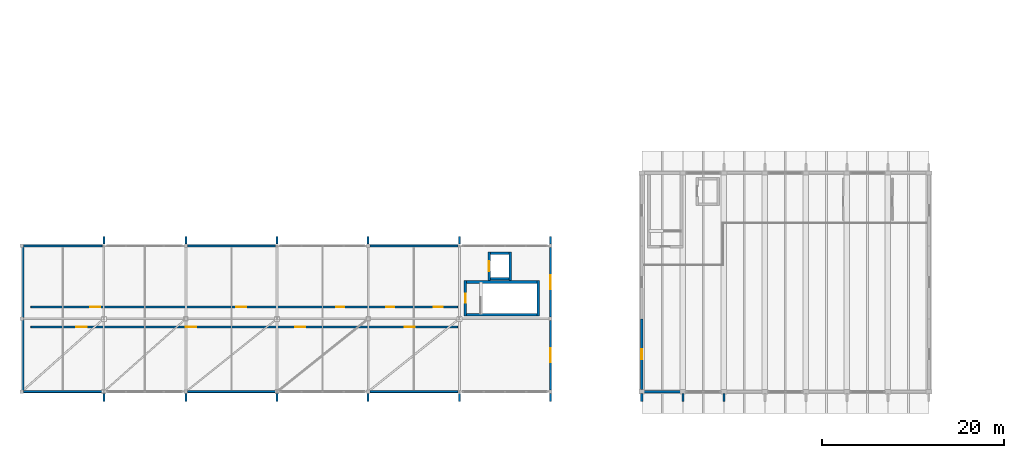
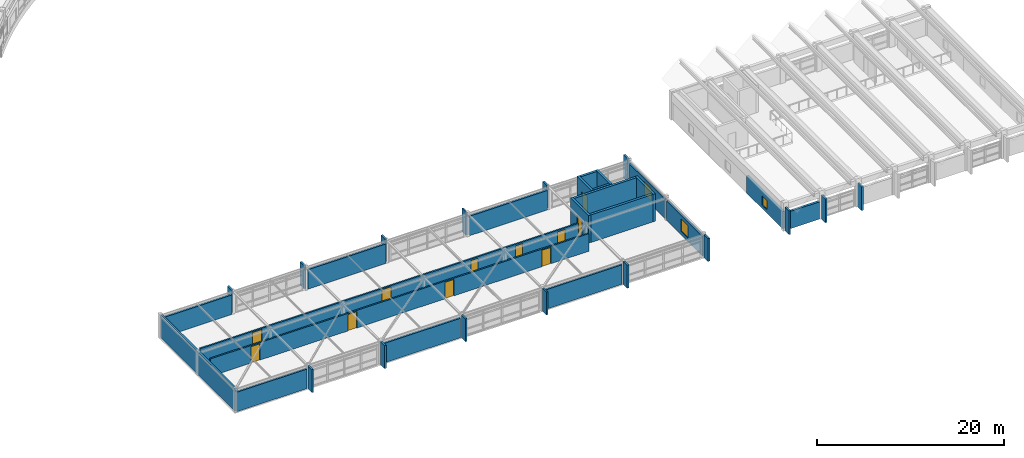
# One storey, part 54 of 83: 36 walls, 11 doors, 3 windows, 14 openings.
"""IFC4 building model written with IfcOpenShell, lengths in metres."""

from ifc_helpers import new_model, si_unit, direction, frame, frame_2d, origin, place, context, subcontext, project, spatial, rectangle, extrude, material, layer, layer_set, type_object, element, fill, save


model = new_model("IFC4")

# Units and contexts
model_context = context("Model", 3, precision=1e-05, world=origin(), true_north=direction((0.0, 1.0)))
body_context = subcontext(model_context, "Body", "Model", "MODEL_VIEW")
ifc_project = project(units=[si_unit("LENGTHUNIT", "METRE"), si_unit("AREAUNIT", "SQUARE_METRE"), si_unit("VOLUMEUNIT", "CUBIC_METRE"), si_unit("PLANEANGLEUNIT", "RADIAN"), si_unit("MASSUNIT", "GRAM", prefix="KILO")], contexts=[model_context])

# Site, building, storey
site_placement = place(None, origin())
site = spatial("IfcSite", under=ifc_project, at=site_placement, CompositionType="ELEMENT")
building_placement = place(site_placement, origin())
building = spatial("IfcBuilding", under=site, at=building_placement, Name="Zimvara Arc Housing Community", CompositionType="ELEMENT")
storey_placement = place(building_placement, frame((0.0, 0.0, 4.5)))
storey = spatial("IfcBuildingStorey", under=building, at=storey_placement, Name="L01", CompositionType="ELEMENT", Elevation=4.5)

# Wall
ifc_material_1 = material(Name="Board-Marked Fair-Faced Concrete C40/50", Category="concrete")
ifc_layer_1 = layer(ifc_material_1, 0.284912109375)
ifc_layer_set_1 = layer_set([ifc_layer_1], Name="Board-Marked Fair-Faced Concrete C40/50")
wall_type_1 = type_object("IfcWallType", Name="EWL-HALL-285", PredefinedType="SOLIDWALL", material=ifc_layer_set_1)
wall_1_placement = place(storey_placement, frame((68.25, 3.60009765625, 0.0), z_axis=(0.0, 0.0, 1.0), x_axis=(1.0, 0.0, 0.0)))
element("IfcWall", 1, at=wall_1_placement, inside=storey, type_object=wall_type_1, Name="ewall:hall:L01:south:b0", PredefinedType="SOLIDWALL", context=body_context, shape_type="SweptSolid", body=[
    extrude(rectangle(XDim=4.0, YDim=0.284912109375, at=frame_2d((2.0, 0.0))), origin(), (0.0, 0.0, 1.0), 2.25),
])

# Wall, opening, window
wall_2_placement = place(storey_placement, frame((68.0, 3.85009765625, 0.0), z_axis=(0.0, 0.0, 1.0), x_axis=(0.0, 1.0, 0.0)))
wall_2 = element("IfcWall", 2, at=wall_2_placement, inside=storey, type_object=wall_type_1, Name="ewall:hall:L01:west:b0", PredefinedType="SOLIDWALL", context=body_context, shape_type="SweptSolid", body=[
    extrude(rectangle(XDim=7.75, YDim=0.284912109375, at=frame_2d((3.875, 0.0))), origin(), (0.0, 0.0, 1.0), 2.25),
])
opening_1_placement = place(wall_2_placement, frame((3.324951171875, 0.0, 0.449951171875)))
opening_1 = element("IfcOpeningElement", 3, at=opening_1_placement, cuts=wall_2, Name="Opening W11", PredefinedType="OPENING", context=body_context, shape_type="SweptSolid", body=[
    extrude(rectangle(XDim=1.10009765625, YDim=1.199951171875, at=frame_2d((0.550048828125, 0.60009765625))), frame((0.0, 0.15234375, 0.0), z_axis=(0.0, -1.0, 0.0), x_axis=(1.0, 0.0, 0.0)), (0.0, 0.0, 1.0), 0.304931640625),
])
ifc_material_2 = material(Name="Solar Control Low-E Double Glazing", Category="glass")
window_type_1 = type_object("IfcWindowType", Name="WIN-RES-1100x1200", PartitioningType="SINGLE_PANEL", PredefinedType="WINDOW", material=ifc_material_2)
window_1_placement = place(opening_1_placement, origin())
window_1 = element("IfcWindow", 4, at=window_1_placement, inside=storey, type_object=window_type_1, Name="win:hall:L01:west:b0", OverallHeight=1.199951171875, OverallWidth=1.10009765625, PartitioningType="SINGLE_PANEL", PredefinedType="WINDOW", context=body_context, shape_type="SweptSolid", body=[
    extrude(rectangle(XDim=1.10009765625, YDim=1.199951171875, at=frame_2d((0.550048828125, 0.60009765625))), frame((0.0, 0.030029296875, 0.0), z_axis=(0.0, -1.0, 0.0), x_axis=(1.0, 0.0, 0.0)), (0.0, 0.0, 1.0), 0.06005859375),
])
fill(opening_1, window_1)

# Walls
ifc_material_3 = material(Name="Board-Marked Fair-Faced Concrete C35/45", Category="concrete")
ifc_layer_2 = layer(ifc_material_3, 0.219970703125)
ifc_layer_set_2 = layer_set([ifc_layer_2], Name="Board-Marked Fair-Faced Concrete C35/45")
wall_type_2 = type_object("IfcWallType", Name="EWL-PARA-220", PredefinedType="PARAPET", material=ifc_layer_set_2)
for number, where, z_axis, x_axis, name in (
    (5, (68.0, 2.550048828125, 0.0), (0.0, 0.0, 1.0), (0.0, 1.0, 0.0), "finwall:hall:L01:s:0"),
    (6, (72.5, 2.550048828125, 0.0), (0.0, 0.0, 1.0), (0.0, 1.0, 0.0), "finwall:hall:L01:s:1"),
    (7, (77.0, 2.550048828125, 0.0), (0.0, 0.0, 1.0), (0.0, 1.0, 0.0), "finwall:hall:L01:s:2"),
):
    element("IfcWall", number, at=place(storey_placement, frame(where, z_axis=z_axis, x_axis=x_axis)), inside=storey, type_object=wall_type_2, Name=name, PredefinedType="PARAPET", context=body_context, shape_type="SweptSolid", body=[
        extrude(rectangle(XDim=0.869873046875, YDim=0.219970703125, at=frame_2d((0.43505859375, 0.0))), origin(), (0.0, 0.0, 1.0), 3.10009765625),
    ])
for number, where, z_axis, x_axis, name in (
    (8, (9.0, 2.550048828125, 0.0), (0.0, 0.0, 1.0), (0.0, 1.0, 0.0), "finwall:shops:L01:s:1"),
    (9, (9.0, 19.780029296875, 0.0), (0.0, 0.0, 1.0), (0.0, 1.0, 0.0), "finwall:shops:L01:n:1"),
    (10, (18.0, 2.550048828125, 0.0), (0.0, 0.0, 1.0), (0.0, 1.0, 0.0), "finwall:shops:L01:s:2"),
    (11, (18.0, 19.780029296875, 0.0), (0.0, 0.0, 1.0), (0.0, 1.0, 0.0), "finwall:shops:L01:n:2"),
    (12, (28.0, 2.550048828125, 0.0), (0.0, 0.0, 1.0), (0.0, 1.0, 0.0), "finwall:shops:L01:s:3"),
    (13, (28.0, 19.780029296875, 0.0), (0.0, 0.0, 1.0), (0.0, 1.0, 0.0), "finwall:shops:L01:n:3"),
    (14, (38.0, 2.550048828125, 0.0), (0.0, 0.0, 1.0), (0.0, 1.0, 0.0), "finwall:shops:L01:s:4"),
    (15, (38.0, 19.780029296875, 0.0), (0.0, 0.0, 1.0), (0.0, 1.0, 0.0), "finwall:shops:L01:n:4"),
    (16, (48.0, 2.550048828125, 0.0), (0.0, 0.0, 1.0), (0.0, 1.0, 0.0), "finwall:shops:L01:s:5"),
    (17, (48.0, 19.780029296875, 0.0), (0.0, 0.0, 1.0), (0.0, 1.0, 0.0), "finwall:shops:L01:n:5"),
    (18, (58.0, 2.550048828125, 0.0), (0.0, 0.0, 1.0), (0.0, 1.0, 0.0), "finwall:shops:L01:s:6"),
    (19, (58.0, 19.780029296875, 0.0), (0.0, 0.0, 1.0), (0.0, 1.0, 0.0), "finwall:shops:L01:n:6"),
):
    element("IfcWall", number, at=place(storey_placement, frame(where, z_axis=z_axis, x_axis=x_axis)), inside=storey, type_object=wall_type_2, Name=name, PredefinedType="PARAPET", context=body_context, shape_type="SweptSolid", body=[
        extrude(rectangle(XDim=0.869873046875, YDim=0.219970703125, at=frame_2d((0.43505859375, 0.0))), origin(), (0.0, 0.0, 1.0), 3.0),
    ])
ifc_material_4 = material(Name="Board-Marked Fair-Faced Concrete C35/45", Category="concrete")
ifc_layer_3 = layer(ifc_material_4, 0.215087890625)
ifc_layer_set_3 = layer_set([ifc_layer_3], Name="Board-Marked Fair-Faced Concrete C35/45")
wall_type_3 = type_object("IfcWallType", Name="EWL-SHOP-215", PredefinedType="SOLIDWALL", material=ifc_layer_set_3)
wall_3_placement = place(storey_placement, frame((0.175048828125, 3.60009765625, 0.0), z_axis=(0.0, 0.0, 1.0), x_axis=(1.0, 0.0, 0.0)))
element("IfcWall", 20, at=wall_3_placement, inside=storey, type_object=wall_type_3, Name="ewall:shops:L01:south:b0", PredefinedType="SOLIDWALL", context=body_context, shape_type="SweptSolid", body=[
    extrude(rectangle(XDim=8.64990234375, YDim=0.215087890625, at=frame_2d((4.324951171875, 0.0))), origin(), (0.0, 0.0, 1.0), 2.550048828125),
])
for number, where, z_axis, x_axis, name in (
    (21, (18.175048828125, 3.60009765625, 0.0), (0.0, 0.0, 1.0), (1.0, 0.0, 0.0), "ewall:shops:L01:south:b2"),
    (22, (38.175048828125, 3.60009765625, 0.0), (0.0, 0.0, 1.0), (1.0, 0.0, 0.0), "ewall:shops:L01:south:b4"),
):
    element("IfcWall", number, at=place(storey_placement, frame(where, z_axis=z_axis, x_axis=x_axis)), inside=storey, type_object=wall_type_3, Name=name, PredefinedType="SOLIDWALL", context=body_context, shape_type="SweptSolid", body=[
        extrude(rectangle(XDim=9.64990234375, YDim=0.215087890625, at=frame_2d((4.824951171875, 0.0))), origin(), (0.0, 0.0, 1.0), 2.550048828125),
    ])
wall_4_placement = place(storey_placement, frame((0.175048828125, 19.60009765625, 0.0), z_axis=(0.0, 0.0, 1.0), x_axis=(1.0, 0.0, 0.0)))
element("IfcWall", 23, at=wall_4_placement, inside=storey, type_object=wall_type_3, Name="ewall:shops:L01:north:b0", PredefinedType="SOLIDWALL", context=body_context, shape_type="SweptSolid", body=[
    extrude(rectangle(XDim=8.64990234375, YDim=0.215087890625, at=frame_2d((4.324951171875, 0.0))), origin(), (0.0, 0.0, 1.0), 2.550048828125),
])
for number, where, z_axis, x_axis, name in (
    (24, (18.175048828125, 19.60009765625, 0.0), (0.0, 0.0, 1.0), (1.0, 0.0, 0.0), "ewall:shops:L01:north:b2"),
    (25, (38.175048828125, 19.60009765625, 0.0), (0.0, 0.0, 1.0), (1.0, 0.0, 0.0), "ewall:shops:L01:north:b4"),
):
    element("IfcWall", number, at=place(storey_placement, frame(where, z_axis=z_axis, x_axis=x_axis)), inside=storey, type_object=wall_type_3, Name=name, PredefinedType="SOLIDWALL", context=body_context, shape_type="SweptSolid", body=[
        extrude(rectangle(XDim=9.64990234375, YDim=0.215087890625, at=frame_2d((4.824951171875, 0.0))), origin(), (0.0, 0.0, 1.0), 2.550048828125),
    ])

# Wall, opening, window
wall_5_placement = place(storey_placement, frame((58.0, 3.77490234375, 0.0), z_axis=(0.0, 0.0, 1.0), x_axis=(0.0, 1.0, 0.0)))
wall_5 = element("IfcWall", 26, at=wall_5_placement, inside=storey, type_object=wall_type_3, Name="ewall:shops:L01:east:b0", PredefinedType="SOLIDWALL", context=body_context, shape_type="SweptSolid", body=[
    extrude(rectangle(XDim=7.650146484375, YDim=0.215087890625, at=frame_2d((3.8251953125, 0.0))), origin(), (0.0, 0.0, 1.0), 2.550048828125),
])
opening_2_placement = place(wall_5_placement, frame((3.074951171875, 0.0, 0.449951171875)))
opening_2 = element("IfcOpeningElement", 27, at=opening_2_placement, cuts=wall_5, Name="Opening W07", PredefinedType="OPENING", context=body_context, shape_type="SweptSolid", body=[
    extrude(rectangle(XDim=1.5, YDim=1.64990234375, at=frame_2d((0.75, 0.824951171875))), frame((0.0, 0.117431640625, 0.0), z_axis=(0.0, -1.0, 0.0), x_axis=(1.0, 0.0, 0.0)), (0.0, 0.0, 1.0), 0.235107421875),
])
ifc_material_5 = material(Name="Solar Control Low-E Double Glazing", Category="glass")
window_type_2 = type_object("IfcWindowType", Name="WIN-RES-1500x1650", PartitioningType="DOUBLE_PANEL_VERTICAL", PredefinedType="WINDOW", material=ifc_material_5)
window_2_placement = place(opening_2_placement, origin())
window_2 = element("IfcWindow", 28, at=window_2_placement, inside=storey, type_object=window_type_2, Name="win:shops:L01:east:b0", OverallHeight=1.64990234375, OverallWidth=1.5, PartitioningType="DOUBLE_PANEL_VERTICAL", PredefinedType="WINDOW", context=body_context, shape_type="SweptSolid", body=[
    extrude(rectangle(XDim=1.5, YDim=1.64990234375, at=frame_2d((0.75, 0.824951171875))), frame((0.0, 0.030029296875, 0.0), z_axis=(0.0, -1.0, 0.0), x_axis=(1.0, 0.0, 0.0)), (0.0, 0.0, 1.0), 0.06005859375),
])
fill(opening_2, window_2)

wall_6_placement = place(storey_placement, frame((58.0, 11.77490234375, 0.0), z_axis=(0.0, 0.0, 1.0), x_axis=(0.0, 1.0, 0.0)))
wall_6 = element("IfcWall", 29, at=wall_6_placement, inside=storey, type_object=wall_type_3, Name="ewall:shops:L01:east:b1", PredefinedType="SOLIDWALL", context=body_context, shape_type="SweptSolid", body=[
    extrude(rectangle(XDim=7.650146484375, YDim=0.215087890625, at=frame_2d((3.8251953125, 0.0))), origin(), (0.0, 0.0, 1.0), 2.550048828125),
])
opening_3_placement = place(wall_6_placement, frame((3.074951171875, 0.0, 0.449951171875)))
opening_3 = element("IfcOpeningElement", 30, at=opening_3_placement, cuts=wall_6, Name="Opening W07", PredefinedType="OPENING", context=body_context, shape_type="SweptSolid", body=[
    extrude(rectangle(XDim=1.5, YDim=1.64990234375, at=frame_2d((0.75, 0.824951171875))), frame((0.0, 0.117431640625, 0.0), z_axis=(0.0, -1.0, 0.0), x_axis=(1.0, 0.0, 0.0)), (0.0, 0.0, 1.0), 0.235107421875),
])
window_3_placement = place(opening_3_placement, origin())
window_3 = element("IfcWindow", 31, at=window_3_placement, inside=storey, type_object=window_type_2, Name="win:shops:L01:east:b1", OverallHeight=1.64990234375, OverallWidth=1.5, PartitioningType="DOUBLE_PANEL_VERTICAL", PredefinedType="WINDOW", context=body_context, shape_type="SweptSolid", body=[
    extrude(rectangle(XDim=1.5, YDim=1.64990234375, at=frame_2d((0.75, 0.824951171875))), frame((0.0, 0.030029296875, 0.0), z_axis=(0.0, -1.0, 0.0), x_axis=(1.0, 0.0, 0.0)), (0.0, 0.0, 1.0), 0.06005859375),
])
fill(opening_3, window_3)

# Wall, openings, doors
ifc_material_6 = material(Name="Concrete C35/45", Category="concrete")
ifc_layer_4 = layer(ifc_material_6, 0.18994140625)
ifc_layer_set_4 = layer_set([ifc_layer_4], Name="Concrete C35/45")
wall_type_4 = type_object("IfcWallType", Name="IWL-CORR-190", PredefinedType="SOLIDWALL", material=ifc_layer_set_4)
wall_7_placement = place(storey_placement, frame((1.0, 10.699951171875, 0.0), z_axis=(0.0, 0.0, 1.0), x_axis=(1.0, 0.0, 0.0)))
wall_7 = element("IfcWall", 32, at=wall_7_placement, inside=storey, type_object=wall_type_4, Name="iwall:civ:shop_l01_s", PredefinedType="SOLIDWALL", context=body_context, shape_type="SweptSolid", body=[
    extrude(rectangle(XDim=46.800048828125, YDim=0.18994140625, at=frame_2d((23.39990234375, 0.0))), origin(), (0.0, 0.0, 1.0), 2.300048828125),
])
opening_4_placement = place(wall_7_placement, frame((5.0, 0.0, 0.0)))
opening_4 = element("IfcOpeningElement", 33, at=opening_4_placement, cuts=wall_7, Name="Opening D07", PredefinedType="OPENING", context=body_context, shape_type="SweptSolid", body=[
    extrude(rectangle(XDim=1.1201171875, YDim=2.14990234375, at=frame_2d((0.56005859375, 1.074951171875))), frame((0.0, 0.10498046875, 0.0), z_axis=(0.0, -1.0, 0.0), x_axis=(1.0, 0.0, 0.0)), (0.0, 0.0, 1.0), 0.2099609375),
])
opening_5_placement = place(wall_7_placement, frame((17.0, 0.0, 0.0)))
opening_5 = element("IfcOpeningElement", 34, at=opening_5_placement, cuts=wall_7, Name="Opening D07", PredefinedType="OPENING", context=body_context, shape_type="SweptSolid", body=[
    extrude(rectangle(XDim=1.1201171875, YDim=2.14990234375, at=frame_2d((0.56005859375, 1.074951171875))), frame((0.0, 0.10498046875, 0.0), z_axis=(0.0, -1.0, 0.0), x_axis=(1.0, 0.0, 0.0)), (0.0, 0.0, 1.0), 0.2099609375),
])
opening_6_placement = place(wall_7_placement, frame((29.0, 0.0, 0.0)))
opening_6 = element("IfcOpeningElement", 35, at=opening_6_placement, cuts=wall_7, Name="Opening D07", PredefinedType="OPENING", context=body_context, shape_type="SweptSolid", body=[
    extrude(rectangle(XDim=1.1201171875, YDim=2.14990234375, at=frame_2d((0.56005859375, 1.074951171875))), frame((0.0, 0.10498046875, 0.0), z_axis=(0.0, -1.0, 0.0), x_axis=(1.0, 0.0, 0.0)), (0.0, 0.0, 1.0), 0.2099609375),
])
opening_7_placement = place(wall_7_placement, frame((41.0, 0.0, 0.0)))
opening_7 = element("IfcOpeningElement", 36, at=opening_7_placement, cuts=wall_7, Name="Opening D07", PredefinedType="OPENING", context=body_context, shape_type="SweptSolid", body=[
    extrude(rectangle(XDim=1.1201171875, YDim=2.14990234375, at=frame_2d((0.56005859375, 1.074951171875))), frame((0.0, 0.10498046875, 0.0), z_axis=(0.0, -1.0, 0.0), x_axis=(1.0, 0.0, 0.0)), (0.0, 0.0, 1.0), 0.2099609375),
])
ifc_material_7 = material(Name="Mozambican Hardwood", Category="wood")
door_type_1 = type_object("IfcDoorType", Name="IDR-AMN-1120x2150", OperationType="NOTDEFINED", PredefinedType="DOOR", material=ifc_material_7)
door_1_placement = place(opening_4_placement, origin())
door_1 = element("IfcDoor", 37, at=door_1_placement, inside=storey, type_object=door_type_1, Name="idoor:civ:wk1_d", OperationType="SINGLE_SWING_LEFT", OverallHeight=2.14990234375, OverallWidth=1.1201171875, PredefinedType="DOOR", context=body_context, shape_type="SweptSolid", body=[
    extrude(rectangle(XDim=1.1201171875, YDim=2.14990234375, at=frame_2d((0.56005859375, 1.074951171875))), frame((0.0, 0.02490234375, 0.0), z_axis=(0.0, -1.0, 0.0), x_axis=(1.0, 0.0, 0.0)), (0.0, 0.0, 1.0), 0.050048828125),
])
fill(opening_4, door_1)
door_2_placement = place(opening_5_placement, origin())
door_2 = element("IfcDoor", 38, at=door_2_placement, inside=storey, type_object=door_type_1, Name="idoor:civ:wk2_d", OperationType="SINGLE_SWING_RIGHT", OverallHeight=2.14990234375, OverallWidth=1.1201171875, PredefinedType="DOOR", context=body_context, shape_type="SweptSolid", body=[
    extrude(rectangle(XDim=1.1201171875, YDim=2.14990234375, at=frame_2d((0.56005859375, 1.074951171875))), frame((0.0, 0.02490234375, 0.0), z_axis=(0.0, -1.0, 0.0), x_axis=(1.0, 0.0, 0.0)), (0.0, 0.0, 1.0), 0.050048828125),
])
fill(opening_5, door_2)
door_3_placement = place(opening_6_placement, origin())
door_3 = element("IfcDoor", 39, at=door_3_placement, inside=storey, type_object=door_type_1, Name="idoor:civ:wk3_d", OperationType="SINGLE_SWING_LEFT", OverallHeight=2.14990234375, OverallWidth=1.1201171875, PredefinedType="DOOR", context=body_context, shape_type="SweptSolid", body=[
    extrude(rectangle(XDim=1.1201171875, YDim=2.14990234375, at=frame_2d((0.56005859375, 1.074951171875))), frame((0.0, 0.02490234375, 0.0), z_axis=(0.0, -1.0, 0.0), x_axis=(1.0, 0.0, 0.0)), (0.0, 0.0, 1.0), 0.050048828125),
])
fill(opening_6, door_3)
door_4_placement = place(opening_7_placement, origin())
door_4 = element("IfcDoor", 40, at=door_4_placement, inside=storey, type_object=door_type_1, Name="idoor:civ:wk4_d", OperationType="SINGLE_SWING_RIGHT", OverallHeight=2.14990234375, OverallWidth=1.1201171875, PredefinedType="DOOR", context=body_context, shape_type="SweptSolid", body=[
    extrude(rectangle(XDim=1.1201171875, YDim=2.14990234375, at=frame_2d((0.56005859375, 1.074951171875))), frame((0.0, 0.02490234375, 0.0), z_axis=(0.0, -1.0, 0.0), x_axis=(1.0, 0.0, 0.0)), (0.0, 0.0, 1.0), 0.050048828125),
])
fill(opening_7, door_4)

wall_8_placement = place(storey_placement, frame((1.0, 12.89990234375, 0.0), z_axis=(0.0, 0.0, 1.0), x_axis=(1.0, 0.0, 0.0)))
wall_8 = element("IfcWall", 41, at=wall_8_placement, inside=storey, type_object=wall_type_4, Name="iwall:civ:shop_l01_n", PredefinedType="SOLIDWALL", context=body_context, shape_type="SweptSolid", body=[
    extrude(rectangle(XDim=46.800048828125, YDim=0.18994140625, at=frame_2d((23.39990234375, 0.0))), origin(), (0.0, 0.0, 1.0), 2.300048828125),
])
opening_8_placement = place(wall_8_placement, frame((6.5, 0.0, 0.0)))
opening_8 = element("IfcOpeningElement", 42, at=opening_8_placement, cuts=wall_8, Name="Opening D07", PredefinedType="OPENING", context=body_context, shape_type="SweptSolid", body=[
    extrude(rectangle(XDim=1.1201171875, YDim=2.14990234375, at=frame_2d((0.56005859375, 1.074951171875))), frame((0.0, 0.10498046875, 0.0), z_axis=(0.0, -1.0, 0.0), x_axis=(1.0, 0.0, 0.0)), (0.0, 0.0, 1.0), 0.2099609375),
])
opening_9_placement = place(wall_8_placement, frame((22.5, 0.0, 0.0)))
opening_9 = element("IfcOpeningElement", 43, at=opening_9_placement, cuts=wall_8, Name="Opening D07", PredefinedType="OPENING", context=body_context, shape_type="SweptSolid", body=[
    extrude(rectangle(XDim=1.1201171875, YDim=2.14990234375, at=frame_2d((0.56005859375, 1.074951171875))), frame((0.0, 0.10498046875, 0.0), z_axis=(0.0, -1.0, 0.0), x_axis=(1.0, 0.0, 0.0)), (0.0, 0.0, 1.0), 0.2099609375),
])
opening_10_placement = place(wall_8_placement, frame((33.5, 0.0, 0.0)))
opening_10 = element("IfcOpeningElement", 44, at=opening_10_placement, cuts=wall_8, Name="Opening D05", PredefinedType="OPENING", context=body_context, shape_type="SweptSolid", body=[
    extrude(rectangle(XDim=0.8798828125, YDim=2.10009765625, at=frame_2d((0.43994140625, 1.050048828125))), frame((0.0, 0.10498046875, 0.0), z_axis=(0.0, -1.0, 0.0), x_axis=(1.0, 0.0, 0.0)), (0.0, 0.0, 1.0), 0.2099609375),
])
opening_11_placement = place(wall_8_placement, frame((39.0, 0.0, 0.0)))
opening_11 = element("IfcOpeningElement", 45, at=opening_11_placement, cuts=wall_8, Name="Opening D05", PredefinedType="OPENING", context=body_context, shape_type="SweptSolid", body=[
    extrude(rectangle(XDim=0.8798828125, YDim=2.10009765625, at=frame_2d((0.43994140625, 1.050048828125))), frame((0.0, 0.10498046875, 0.0), z_axis=(0.0, -1.0, 0.0), x_axis=(1.0, 0.0, 0.0)), (0.0, 0.0, 1.0), 0.2099609375),
])
opening_12_placement = place(wall_8_placement, frame((44.199951171875, 0.0, 0.0)))
opening_12 = element("IfcOpeningElement", 46, at=opening_12_placement, cuts=wall_8, Name="Opening D06", PredefinedType="OPENING", context=body_context, shape_type="SweptSolid", body=[
    extrude(rectangle(XDim=0.949951171875, YDim=2.10009765625, at=frame_2d((0.47509765625, 1.050048828125))), frame((0.0, 0.10498046875, 0.0), z_axis=(0.0, -1.0, 0.0), x_axis=(1.0, 0.0, 0.0)), (0.0, 0.0, 1.0), 0.2099609375),
])
door_5_placement = place(opening_8_placement, origin())
door_5 = element("IfcDoor", 47, at=door_5_placement, inside=storey, type_object=door_type_1, Name="idoor:civ:est_d", OperationType="SINGLE_SWING_LEFT", OverallHeight=2.14990234375, OverallWidth=1.1201171875, PredefinedType="DOOR", context=body_context, shape_type="SweptSolid", body=[
    extrude(rectangle(XDim=1.1201171875, YDim=2.14990234375, at=frame_2d((0.56005859375, 1.074951171875))), frame((0.0, 0.02490234375, 0.0), z_axis=(0.0, -1.0, 0.0), x_axis=(1.0, 0.0, 0.0)), (0.0, 0.0, 1.0), 0.050048828125),
])
fill(opening_8, door_5)
door_6_placement = place(opening_9_placement, origin())
door_6 = element("IfcDoor", 48, at=door_6_placement, inside=storey, type_object=door_type_1, Name="idoor:civ:hlt_d", OperationType="SINGLE_SWING_RIGHT", OverallHeight=2.14990234375, OverallWidth=1.1201171875, PredefinedType="DOOR", context=body_context, shape_type="SweptSolid", body=[
    extrude(rectangle(XDim=1.1201171875, YDim=2.14990234375, at=frame_2d((0.56005859375, 1.074951171875))), frame((0.0, 0.02490234375, 0.0), z_axis=(0.0, -1.0, 0.0), x_axis=(1.0, 0.0, 0.0)), (0.0, 0.0, 1.0), 0.050048828125),
])
fill(opening_9, door_6)
ifc_material_8 = material(Name="Mozambican Hardwood", Category="wood")
door_type_2 = type_object("IfcDoorType", Name="IDR-AWC-0950x2100", OperationType="NOTDEFINED", PredefinedType="DOOR", material=ifc_material_8)
door_7_placement = place(opening_12_placement, origin())
door_7 = element("IfcDoor", 49, at=door_7_placement, inside=storey, type_object=door_type_2, Name="idoor:civ:caw_d", OperationType="SINGLE_SWING_LEFT", OverallHeight=2.10009765625, OverallWidth=0.949951171875, PredefinedType="DOOR", context=body_context, shape_type="SweptSolid", body=[
    extrude(rectangle(XDim=0.949951171875, YDim=2.10009765625, at=frame_2d((0.47509765625, 1.050048828125))), frame((0.0, 0.02490234375, 0.0), z_axis=(0.0, -1.0, 0.0), x_axis=(1.0, 0.0, 0.0)), (0.0, 0.0, 1.0), 0.050048828125),
])
fill(opening_12, door_7)
ifc_material_9 = material(Name="Mozambican Hardwood", Category="wood")
door_type_3 = type_object("IfcDoorType", Name="IDR-WC-0880x2100", OperationType="NOTDEFINED", PredefinedType="DOOR", material=ifc_material_9)
door_8_placement = place(opening_10_placement, origin())
door_8 = element("IfcDoor", 50, at=door_8_placement, inside=storey, type_object=door_type_3, Name="idoor:civ:cmw_d", OperationType="SINGLE_SWING_LEFT", OverallHeight=2.10009765625, OverallWidth=0.8798828125, PredefinedType="DOOR", context=body_context, shape_type="SweptSolid", body=[
    extrude(rectangle(XDim=0.8798828125, YDim=2.10009765625, at=frame_2d((0.43994140625, 1.050048828125))), frame((0.0, 0.02490234375, 0.0), z_axis=(0.0, -1.0, 0.0), x_axis=(1.0, 0.0, 0.0)), (0.0, 0.0, 1.0), 0.050048828125),
])
fill(opening_10, door_8)
door_9_placement = place(opening_11_placement, origin())
door_9 = element("IfcDoor", 51, at=door_9_placement, inside=storey, type_object=door_type_3, Name="idoor:civ:cfw_d", OperationType="SINGLE_SWING_RIGHT", OverallHeight=2.10009765625, OverallWidth=0.8798828125, PredefinedType="DOOR", context=body_context, shape_type="SweptSolid", body=[
    extrude(rectangle(XDim=0.8798828125, YDim=2.10009765625, at=frame_2d((0.43994140625, 1.050048828125))), frame((0.0, 0.02490234375, 0.0), z_axis=(0.0, -1.0, 0.0), x_axis=(1.0, 0.0, 0.0)), (0.0, 0.0, 1.0), 0.050048828125),
])
fill(opening_11, door_9)

# Wall, opening, door
ifc_material_10 = material(Name="Concrete C40/50", Category="concrete")
ifc_layer_5 = layer(ifc_material_10, 0.280029296875)
ifc_layer_set_5 = layer_set([ifc_layer_5], Name="Concrete C40/50")
wall_type_5 = type_object("IfcWallType", Name="WL-CORE-280", PredefinedType="SHEAR", material=ifc_layer_set_5)
wall_9_placement = place(storey_placement, frame((51.264892578125, 15.824951171875, 0.0), z_axis=(0.0, 0.0, 1.0), x_axis=(0.0, 1.0, 0.0)))
wall_9 = element("IfcWall", 52, at=wall_9_placement, inside=storey, type_object=wall_type_5, Name="lwall:LP-S1:L01:front", PredefinedType="SHEAR", context=body_context, shape_type="SweptSolid", body=[
    extrude(rectangle(XDim=3.090087890625, YDim=0.280029296875, at=frame_2d((1.544921875, 0.0))), origin(), (0.0, 0.0, 1.0), 3.60009765625),
])
opening_13_placement = place(wall_9_placement, frame((0.9951171875, 0.0, 0.0)))
opening_13 = element("IfcOpeningElement", 53, at=opening_13_placement, cuts=wall_9, Name="Opening LD-LP-S1", PredefinedType="OPENING", context=body_context, shape_type="SweptSolid", body=[
    extrude(rectangle(XDim=1.10009765625, YDim=2.14990234375, at=frame_2d((0.550048828125, 1.074951171875))), frame((0.0, 0.14990234375, 0.0), z_axis=(0.0, -1.0, 0.0), x_axis=(1.0, 0.0, 0.0)), (0.0, 0.0, 1.0), 0.300048828125),
])
ifc_material_11 = material(Name="Anodised Aluminium AW-6063", Category="aluminium")
door_type_4 = type_object("IfcDoorType", Name="IDR-LD-1100x2150", OperationType="DOUBLE_DOOR_SLIDING", PredefinedType="DOOR", material=ifc_material_11)
door_10_placement = place(opening_13_placement, origin())
door_10 = element("IfcDoor", 54, at=door_10_placement, inside=storey, type_object=door_type_4, Name="Lift LP-S1 Sliding Landing Door L01", OperationType="DOUBLE_DOOR_SLIDING", OverallHeight=2.14990234375, OverallWidth=1.10009765625, PredefinedType="DOOR", context=body_context, shape_type="SweptSolid", body=[
    extrude(rectangle(XDim=1.10009765625, YDim=2.14990234375, at=frame_2d((0.550048828125, 1.074951171875))), frame((0.0, 0.02490234375, 0.0), z_axis=(0.0, -1.0, 0.0), x_axis=(1.0, 0.0, 0.0)), (0.0, 0.0, 1.0), 0.050048828125),
])
fill(opening_13, door_10)

# Walls
wall_10_placement = place(storey_placement, frame((53.574951171875, 15.824951171875, 0.0), z_axis=(0.0, 0.0, 1.0), x_axis=(0.0, 1.0, 0.0)))
element("IfcWall", 55, at=wall_10_placement, inside=storey, type_object=wall_type_5, Name="lwall:LP-S1:L01:back", PredefinedType="SHEAR", context=body_context, shape_type="SweptSolid", body=[
    extrude(rectangle(XDim=3.090087890625, YDim=0.280029296875, at=frame_2d((1.544921875, 0.0))), origin(), (0.0, 0.0, 1.0), 3.60009765625),
])
for number, where, z_axis, x_axis, name in (
    (56, (51.405029296875, 15.965087890625, 0.0), (0.0, 0.0, 1.0), (1.0, 0.0, 0.0), "lwall:LP-S1:L01:left"),
    (57, (51.405029296875, 18.77490234375, 0.0), (0.0, 0.0, 1.0), (1.0, 0.0, 0.0), "lwall:LP-S1:L01:right"),
):
    element("IfcWall", number, at=place(storey_placement, frame(where, z_axis=z_axis, x_axis=x_axis)), inside=storey, type_object=wall_type_5, Name=name, PredefinedType="SHEAR", context=body_context, shape_type="SweptSolid", body=[
        extrude(rectangle(XDim=2.030029296875, YDim=0.280029296875, at=frame_2d((1.01513671875, 0.0))), origin(), (0.0, 0.0, 1.0), 3.60009765625),
    ])

# Wall, opening, door
ifc_material_12 = material(Name="Concrete C40/50", Category="concrete")
ifc_layer_6 = layer(ifc_material_12, 0.300048828125)
ifc_layer_set_6 = layer_set([ifc_layer_6], Name="Concrete C40/50")
wall_type_6 = type_object("IfcWallType", Name="WL-CORE-300", PredefinedType="SHEAR", material=ifc_layer_set_6)
wall_11_placement = place(storey_placement, frame((48.655029296875, 11.905029296875, 0.0), z_axis=(0.0, 0.0, 1.0), x_axis=(0.0, 1.0, 0.0)))
wall_11 = element("IfcWall", 58, at=wall_11_placement, inside=storey, type_object=wall_type_6, Name="cwall:ST-S1:L01:near", PredefinedType="SHEAR", context=body_context, shape_type="SweptSolid", body=[
    extrude(rectangle(XDim=3.869873046875, YDim=0.300048828125, at=frame_2d((1.93505859375, 0.0))), origin(), (0.0, 0.0, 1.0), 3.60009765625),
])
opening_14_placement = place(wall_11_placement, frame((1.43505859375, 0.0, 0.0)))
opening_14 = element("IfcOpeningElement", 59, at=opening_14_placement, cuts=wall_11, Name="Opening FD-ST1", PredefinedType="OPENING", context=body_context, shape_type="SweptSolid", body=[
    extrude(rectangle(XDim=1.0, YDim=2.14990234375, at=frame_2d((0.5, 1.074951171875))), frame((0.0, 0.159912109375, 0.0), z_axis=(0.0, -1.0, 0.0), x_axis=(1.0, 0.0, 0.0)), (0.0, 0.0, 1.0), 0.320068359375),
])
ifc_material_13 = material(Name="Anodised Aluminium AW-6063", Category="aluminium")
door_type_5 = type_object("IfcDoorType", Name="IDR-ST-1000x2150", OperationType="NOTDEFINED", PredefinedType="DOOR", material=ifc_material_13)
door_11_placement = place(opening_14_placement, origin())
door_11 = element("IfcDoor", 60, at=door_11_placement, inside=storey, type_object=door_type_5, Name="idoor:ST-S1:L01:entry", OperationType="SINGLE_SWING_LEFT", OverallHeight=2.14990234375, OverallWidth=1.0, PredefinedType="DOOR", context=body_context, shape_type="SweptSolid", body=[
    extrude(rectangle(XDim=1.0, YDim=2.14990234375, at=frame_2d((0.5, 1.074951171875))), frame((0.0, 0.02490234375, 0.0), z_axis=(0.0, -1.0, 0.0), x_axis=(1.0, 0.0, 0.0)), (0.0, 0.0, 1.0), 0.050048828125),
])
fill(opening_14, door_11)

# Walls
wall_12_placement = place(storey_placement, frame((56.64501953125, 11.905029296875, 0.0), z_axis=(0.0, 0.0, 1.0), x_axis=(0.0, 1.0, 0.0)))
element("IfcWall", 61, at=wall_12_placement, inside=storey, type_object=wall_type_6, Name="cwall:ST-S1:L01:far", PredefinedType="SHEAR", context=body_context, shape_type="SweptSolid", body=[
    extrude(rectangle(XDim=3.869873046875, YDim=0.300048828125, at=frame_2d((1.93505859375, 0.0))), origin(), (0.0, 0.0, 1.0), 3.60009765625),
])
for number, where, z_axis, x_axis, name in (
    (62, (48.804931640625, 12.054931640625, 0.0), (0.0, 0.0, 1.0), (1.0, 0.0, 0.0), "cwall:ST-S1:L01:left"),
    (63, (48.804931640625, 15.625, 0.0), (0.0, 0.0, 1.0), (1.0, 0.0, 0.0), "cwall:ST-S1:L01:right"),
):
    element("IfcWall", number, at=place(storey_placement, frame(where, z_axis=z_axis, x_axis=x_axis)), inside=storey, type_object=wall_type_6, Name=name, PredefinedType="SHEAR", context=body_context, shape_type="SweptSolid", body=[
        extrude(rectangle(XDim=7.690185546875, YDim=0.300048828125, at=frame_2d((3.84521484375, 0.0))), origin(), (0.0, 0.0, 1.0), 3.60009765625),
    ])
ifc_material_14 = material(Name="Concrete C40/50", Category="concrete")
ifc_layer_7 = layer(ifc_material_14, 0.25)
ifc_layer_set_7 = layer_set([ifc_layer_7], Name="Concrete C40/50")
wall_type_7 = type_object("IfcWallType", Name="WL-PARTY-250", PredefinedType="SOLIDWALL", material=ifc_layer_set_7)
wall_13_placement = place(storey_placement, frame((0.14990234375, 3.60009765625, 0.0), z_axis=(0.0, 0.0, 1.0), x_axis=(0.0, 1.0, 0.0)))
element("IfcWall", 64, at=wall_13_placement, inside=storey, type_object=wall_type_7, Name="swall:shops:L01:party_west", PredefinedType="SOLIDWALL", context=body_context, shape_type="SweptSolid", body=[
    extrude(rectangle(XDim=16.0, YDim=0.25, at=frame_2d((8.0, 0.0))), origin(), (0.0, 0.0, 1.0), 2.949951171875),
])

save(model, "model.ifc")
